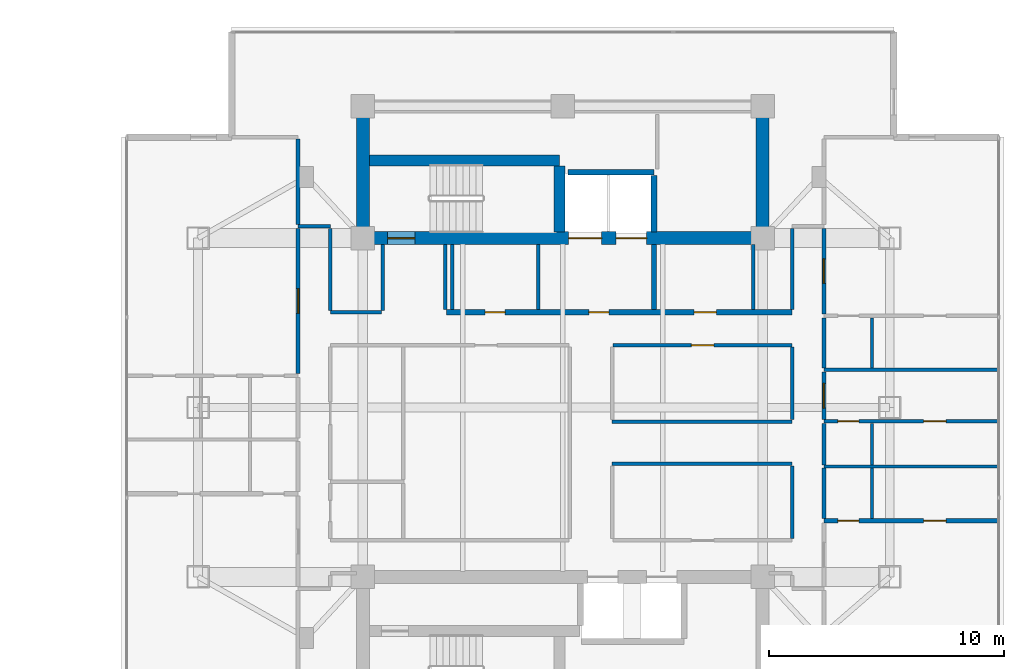
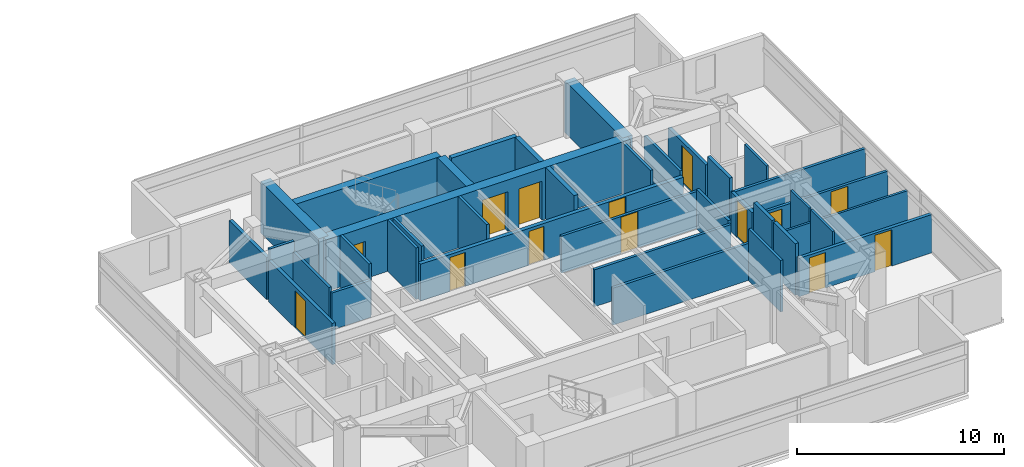
# One storey, part 17 of 25: 37 walls, 14 doors, 14 openings.
"""IFC4 building model written with IfcOpenShell, lengths in metres."""

from ifc_helpers import new_model, si_unit, direction, frame, frame_2d, origin, place, context, subcontext, project, spatial, rectangle, extrude, material, layer, layer_set, type_object, element, fill, save


model = new_model("IFC4")

# Units and contexts
model_context = context("Model", 3, precision=1e-05, world=origin(), true_north=direction((0.0, 1.0)))
body_context = subcontext(model_context, "Body", "Model", "MODEL_VIEW")
ifc_project = project(units=[si_unit("LENGTHUNIT", "METRE"), si_unit("AREAUNIT", "SQUARE_METRE"), si_unit("VOLUMEUNIT", "CUBIC_METRE"), si_unit("PLANEANGLEUNIT", "RADIAN"), si_unit("MASSUNIT", "GRAM", prefix="KILO")], contexts=[model_context])

# Site, building, storey
site_placement = place(None, origin())
site = spatial("IfcSite", under=ifc_project, at=site_placement, CompositionType="ELEMENT")
building_placement = place(site_placement, origin())
building = spatial("IfcBuilding", under=site, at=building_placement, Name="Mirazonda Arch Towers", CompositionType="ELEMENT")
storey_placement = place(building_placement, frame((0.0, 0.0, 180.39990234375)))
storey = spatial("IfcBuildingStorey", under=building, at=storey_placement, Name="L51", CompositionType="ELEMENT", Elevation=180.39990234375)

# Walls
ifc_material_1 = material(Name="Concrete C50/60", Category="concrete")
ifc_layer_1 = layer(ifc_material_1, 0.449951171875, Name="WALL-CORE-450")
ifc_layer_set_1 = layer_set([ifc_layer_1], Name="Concrete C50/60")
wall_type_1 = type_object("IfcWallType", Name="WALL-CORE-450", PredefinedType="SHEAR", material=ifc_layer_set_1)
wall_1_placement = place(storey_placement, frame((68.27001953125, 38.5, 0.0), z_axis=(0.0, 0.0, 1.0), x_axis=(1.0, 0.0, 0.0)))
element("IfcWall", 1, at=wall_1_placement, inside=storey, type_object=wall_type_1, Name="L51 Stair Core Shear Wall 053", PredefinedType="SHEAR", context=body_context, shape_type="SweptSolid", body=[
    extrude(rectangle(XDim=8.090087890625, YDim=0.449951171875, at=frame_2d((4.044921875, 0.0))), origin(), (0.0, 0.0, 1.0), 3.050048828125),
])
wall_2_placement = place(storey_placement, frame((76.360107421875, 35.469970703125, 0.0), z_axis=(0.0, 0.0, 1.0), x_axis=(0.0, 1.0, 0.0)))
element("IfcWall", 2, at=wall_2_placement, inside=storey, type_object=wall_type_1, Name="L51 Stair Core Shear Wall 141", PredefinedType="SHEAR", context=body_context, shape_type="SweptSolid", body=[
    extrude(rectangle(XDim=2.794921875, YDim=0.449951171875, at=frame_2d((1.3974609375, 0.0))), origin(), (0.0, 0.0, 1.0), 3.050048828125),
])
ifc_layer_2 = layer(ifc_material_1, 0.550048828125, Name="WALL-CORE-550")
ifc_layer_set_2 = layer_set([ifc_layer_2], Name="Concrete C50/60")
wall_type_2 = type_object("IfcWallType", Name="WALL-CORE-550", PredefinedType="SHEAR", material=ifc_layer_set_2)
for number, where, z_axis, x_axis, name in (
    (3, (68.0, 35.199951171875, 0.0), (0.0, 0.0, 1.0), (0.0, 1.0, 0.0), "L51 T2N-W Core Shear Wall"),
    (4, (85.0, 35.199951171875, 0.0), (0.0, 0.0, 1.0), (0.0, 1.0, 0.0), "L51 T2N-E Core Shear Wall"),
):
    element("IfcWall", number, at=place(storey_placement, frame(where, z_axis=z_axis, x_axis=x_axis)), inside=storey, type_object=wall_type_2, Name=name, PredefinedType="SHEAR", context=body_context, shape_type="SweptSolid", body=[
        extrude(rectangle(XDim=5.60009765625, YDim=0.550048828125, at=frame_2d((2.800048828125, 0.0))), origin(), (0.0, 0.0, 1.0), 3.050048828125),
    ])

# Wall, openings, doors
wall_3_placement = place(storey_placement, frame((68.0, 35.199951171875, 0.0), z_axis=(0.0, 0.0, 1.0), x_axis=(1.0, 0.0, 0.0)))
wall_3 = element("IfcWall", 5, at=wall_3_placement, inside=storey, type_object=wall_type_2, Name="L51 T2N-S Core Shear Wall", PredefinedType="SHEAR", context=body_context, shape_type="SweptSolid", body=[
    extrude(rectangle(XDim=17.0, YDim=0.550048828125, at=frame_2d((8.5, 0.0))), origin(), (0.0, 0.0, 1.0), 3.050048828125),
])
opening_1_placement = place(wall_3_placement, frame((1.06005859375, 0.0, 0.0)))
opening_1 = element("IfcOpeningElement", 6, at=opening_1_placement, cuts=wall_3, Name="Opening DR-135", PredefinedType="OPENING", context=body_context, shape_type="SweptSolid", body=[
    extrude(rectangle(XDim=1.14990234375, YDim=2.199951171875, at=frame_2d((0.574951171875, 1.10009765625))), frame((0.0, 0.284912109375, 0.0), z_axis=(0.0, -1.0, 0.0), x_axis=(1.0, 0.0, 0.0)), (0.0, 0.0, 1.0), 0.570068359375),
])
opening_2_placement = place(wall_3_placement, frame((8.75, 0.0, 0.0)))
opening_2 = element("IfcOpeningElement", 7, at=opening_2_placement, cuts=wall_3, Name="Opening LD-112", PredefinedType="OPENING", context=body_context, shape_type="SweptSolid", body=[
    extrude(rectangle(XDim=1.39990234375, YDim=2.35009765625, at=frame_2d((0.699951171875, 1.175048828125))), frame((0.0, 0.284912109375, 0.0), z_axis=(0.0, -1.0, 0.0), x_axis=(1.0, 0.0, 0.0)), (0.0, 0.0, 1.0), 0.570068359375),
])
opening_3_placement = place(wall_3_placement, frame((10.77001953125, 0.0, 0.0)))
opening_3 = element("IfcOpeningElement", 8, at=opening_3_placement, cuts=wall_3, Name="Opening LD-111", PredefinedType="OPENING", context=body_context, shape_type="SweptSolid", body=[
    extrude(rectangle(XDim=1.300048828125, YDim=2.300048828125, at=frame_2d((0.64990234375, 1.14990234375))), frame((0.0, 0.284912109375, 0.0), z_axis=(0.0, -1.0, 0.0), x_axis=(1.0, 0.0, 0.0)), (0.0, 0.0, 1.0), 0.570068359375),
])
ifc_material_2 = material(Name="Architectural Brushed Steel S355", Category="steel")
door_type_1 = type_object("IfcDoorType", Name="DOOR-LIFT-FFL-1400", OperationType="NOTDEFINED", PredefinedType="DOOR", material=ifc_material_2)
door_1_placement = place(opening_2_placement, origin())
door_1 = element("IfcDoor", 9, at=door_1_placement, inside=storey, type_object=door_type_1, Name="L51 Lift Landing Sliding Door FFL-T2", OperationType="DOUBLE_DOOR_SLIDING", OverallHeight=2.35009765625, OverallWidth=1.39990234375, PredefinedType="DOOR", context=body_context, shape_type="SweptSolid", body=[
    extrude(rectangle(XDim=1.39990234375, YDim=2.35009765625, at=frame_2d((0.699951171875, 1.175048828125))), frame((0.0, 0.02490234375, 0.0), z_axis=(0.0, -1.0, 0.0), x_axis=(1.0, 0.0, 0.0)), (0.0, 0.0, 1.0), 0.050048828125),
])
fill(opening_2, door_1)
door_type_2 = type_object("IfcDoorType", Name="DOOR-LIFT-LAND-1300", OperationType="NOTDEFINED", PredefinedType="DOOR", material=ifc_material_2)
door_2_placement = place(opening_3_placement, origin())
door_2 = element("IfcDoor", 10, at=door_2_placement, inside=storey, type_object=door_type_2, Name="L51 Lift Landing Sliding Door SVL-T2", OperationType="DOUBLE_DOOR_SLIDING", OverallHeight=2.300048828125, OverallWidth=1.300048828125, PredefinedType="DOOR", context=body_context, shape_type="SweptSolid", body=[
    extrude(rectangle(XDim=1.300048828125, YDim=2.300048828125, at=frame_2d((0.64990234375, 1.14990234375))), frame((0.0, 0.02490234375, 0.0), z_axis=(0.0, -1.0, 0.0), x_axis=(1.0, 0.0, 0.0)), (0.0, 0.0, 1.0), 0.050048828125),
])
fill(opening_3, door_2)
door_type_3 = type_object("IfcDoorType", Name="DOOR-STAIR-FD90-1150", OperationType="NOTDEFINED", PredefinedType="DOOR", material=ifc_material_2)
door_3_placement = place(opening_1_placement, origin())
door_3 = element("IfcDoor", 11, at=door_3_placement, inside=storey, type_object=door_type_3, Name="L51 East Protected Stair North Door", OperationType="SINGLE_SWING_LEFT", OverallHeight=2.199951171875, OverallWidth=1.14990234375, PredefinedType="DOOR", context=body_context, shape_type="SweptSolid", body=[
    extrude(rectangle(XDim=1.14990234375, YDim=2.199951171875, at=frame_2d((0.574951171875, 1.10009765625))), frame((0.0, 0.02490234375, 0.0), z_axis=(0.0, -1.0, 0.0), x_axis=(1.0, 0.0, 0.0)), (0.0, 0.0, 1.0), 0.050048828125),
])
fill(opening_1, door_3)

ifc_material_3 = material(Name="Concrete C40/50", Category="concrete")
ifc_layer_3 = layer(ifc_material_3, 0.219970703125, Name="WALL-FFL-220")
ifc_layer_set_3 = layer_set([ifc_layer_3], Name="Concrete C40/50")
wall_type_3 = type_object("IfcWallType", Name="WALL-FFL-220", PredefinedType="SOLIDWALL", material=ifc_layer_set_3)
wall_4_placement = place(storey_placement, frame((71.550048828125, 32.050048828125, 0.0), z_axis=(0.0, 0.0, 1.0), x_axis=(1.0, 0.0, 0.0)))
wall_4 = element("IfcWall", 12, at=wall_4_placement, inside=storey, type_object=wall_type_3, Name="L51 Interior Partition 044", PredefinedType="SOLIDWALL", context=body_context, shape_type="SweptSolid", body=[
    extrude(rectangle(XDim=14.699951171875, YDim=0.219970703125, at=frame_2d((7.35009765625, 0.0))), origin(), (0.0, 0.0, 1.0), 2.18603515625),
])
opening_4_placement = place(wall_4_placement, frame((6.06494140625, 0.0, 0.0)))
opening_4 = element("IfcOpeningElement", 13, at=opening_4_placement, cuts=wall_4, Name="Opening DR-128", PredefinedType="OPENING", context=body_context, shape_type="SweptSolid", body=[
    extrude(rectangle(XDim=0.85009765625, YDim=2.010009765625, at=frame_2d((0.425048828125, 1.0048828125))), frame((0.0, 0.119873046875, 0.0), z_axis=(0.0, -1.0, 0.0), x_axis=(1.0, 0.0, 0.0)), (0.0, 0.0, 1.0), 0.239990234375),
])
opening_5_placement = place(wall_4_placement, frame((10.534912109375, 0.0, 0.0)))
opening_5 = element("IfcOpeningElement", 14, at=opening_5_placement, cuts=wall_4, Name="Opening DR-104", PredefinedType="OPENING", context=body_context, shape_type="SweptSolid", body=[
    extrude(rectangle(XDim=0.949951171875, YDim=2.14990234375, at=frame_2d((0.47509765625, 1.074951171875))), frame((0.0, 0.119873046875, 0.0), z_axis=(0.0, -1.0, 0.0), x_axis=(1.0, 0.0, 0.0)), (0.0, 0.0, 1.0), 0.239990234375),
])
opening_6_placement = place(wall_4_placement, frame((1.64990234375, 0.0, 0.0)))
opening_6 = element("IfcOpeningElement", 15, at=opening_6_placement, cuts=wall_4, Name="Opening DR-128", PredefinedType="OPENING", context=body_context, shape_type="SweptSolid", body=[
    extrude(rectangle(XDim=0.85009765625, YDim=2.010009765625, at=frame_2d((0.425048828125, 1.0048828125))), frame((0.0, 0.119873046875, 0.0), z_axis=(0.0, -1.0, 0.0), x_axis=(1.0, 0.0, 0.0)), (0.0, 0.0, 1.0), 0.239990234375),
])
door_type_4 = type_object("IfcDoorType", Name="DOOR-RISER-FD60-850", OperationType="NOTDEFINED", PredefinedType="DOOR", material=ifc_material_2)
door_4_placement = place(opening_4_placement, origin())
door_4 = element("IfcDoor", 16, at=door_4_placement, inside=storey, type_object=door_type_4, Name="L51 East Firefighting Lift Lobby Door", OperationType="SINGLE_SWING_RIGHT", OverallHeight=2.010009765625, OverallWidth=0.85009765625, PredefinedType="DOOR", context=body_context, shape_type="SweptSolid", body=[
    extrude(rectangle(XDim=0.85009765625, YDim=2.010009765625, at=frame_2d((0.425048828125, 1.0048828125))), frame((0.0, 0.02490234375, 0.0), z_axis=(0.0, -1.0, 0.0), x_axis=(1.0, 0.0, 0.0)), (0.0, 0.0, 1.0), 0.050048828125),
])
fill(opening_4, door_4)
door_5_placement = place(opening_6_placement, origin())
door_5 = element("IfcDoor", 17, at=door_5_placement, inside=storey, type_object=door_type_4, Name="L51 Tower 2 Housekeeping & Linen Room Door", OperationType="SINGLE_SWING_RIGHT", OverallHeight=2.010009765625, OverallWidth=0.85009765625, PredefinedType="DOOR", context=body_context, shape_type="SweptSolid", body=[
    extrude(rectangle(XDim=0.85009765625, YDim=2.010009765625, at=frame_2d((0.425048828125, 1.0048828125))), frame((0.0, 0.02490234375, 0.0), z_axis=(0.0, -1.0, 0.0), x_axis=(1.0, 0.0, 0.0)), (0.0, 0.0, 1.0), 0.050048828125),
])
fill(opening_6, door_5)
door_type_5 = type_object("IfcDoorType", Name="DOOR-ROOM-950", OperationType="NOTDEFINED", PredefinedType="DOOR", material=ifc_material_2)
door_6_placement = place(opening_5_placement, origin())
door_6 = element("IfcDoor", 18, at=door_6_placement, inside=storey, type_object=door_type_5, Name="L51 East Sky Reading Library Door", OperationType="SINGLE_SWING_LEFT", OverallHeight=2.14990234375, OverallWidth=0.949951171875, PredefinedType="DOOR", context=body_context, shape_type="SweptSolid", body=[
    extrude(rectangle(XDim=0.949951171875, YDim=2.14990234375, at=frame_2d((0.47509765625, 1.074951171875))), frame((0.0, 0.02490234375, 0.0), z_axis=(0.0, -1.0, 0.0), x_axis=(1.0, 0.0, 0.0)), (0.0, 0.0, 1.0), 0.050048828125),
])
fill(opening_5, door_6)

# Walls
wall_5_placement = place(storey_placement, frame((80.3798828125, 32.169921875, 0.0), z_axis=(0.0, 0.0, 1.0), x_axis=(0.0, 1.0, 0.0)))
element("IfcWall", 19, at=wall_5_placement, inside=storey, type_object=wall_type_3, Name="L51 Interior Partition 146", PredefinedType="SOLIDWALL", context=body_context, shape_type="SweptSolid", body=[
    extrude(rectangle(XDim=2.760009765625, YDim=0.219970703125, at=frame_2d((1.3798828125, 0.0))), origin(), (0.0, 0.0, 1.0), 3.050048828125),
])
ifc_material_4 = material(Name="Fire-Rated Gypsum Stud Partition")
ifc_layer_4 = layer(ifc_material_4, 0.14990234375, Name="WALL-PART-CORR-150")
ifc_layer_set_4 = layer_set([ifc_layer_4], Name="Fire-Rated Gypsum Stud Partition")
wall_type_4 = type_object("IfcWallType", Name="WALL-PART-CORR-150", PredefinedType="PARTITIONING", material=ifc_layer_set_4)
for number, where, z_axis, x_axis, name in (
    (20, (78.60009765625, 25.60009765625, 0.0), (0.0, 0.0, 1.0), (1.0, 0.0, 0.0), "L51 Interior Partition 028"),
    (21, (78.60009765625, 27.39990234375, 0.0), (0.0, 0.0, 1.0), (1.0, 0.0, 0.0), "L51 Interior Partition 032"),
):
    element("IfcWall", number, at=place(storey_placement, frame(where, z_axis=z_axis, x_axis=x_axis)), inside=storey, type_object=wall_type_4, Name=name, PredefinedType="PARTITIONING", context=body_context, shape_type="SweptSolid", body=[
        extrude(rectangle(XDim=7.64990234375, YDim=0.14990234375, at=frame_2d((3.824951171875, 0.0))), origin(), (0.0, 0.0, 1.0), 2.18603515625),
    ])

# Wall, openings, doors
wall_6_placement = place(storey_placement, frame((87.60009765625, 27.412109375, 0.0), z_axis=(0.0, 0.0, 1.0), x_axis=(1.0, 0.0, 0.0)))
wall_6 = element("IfcWall", 22, at=wall_6_placement, inside=storey, type_object=wall_type_4, Name="L51 Interior Partition 033", PredefinedType="PARTITIONING", context=body_context, shape_type="SweptSolid", body=[
    extrude(rectangle(XDim=7.43701171875, YDim=0.14990234375, at=frame_2d((3.718505859375, 0.0))), origin(), (0.0, 0.0, 1.0), 2.26904296875),
])
opening_7_placement = place(wall_6_placement, frame((4.243408203125, 0.0, 0.0)))
opening_7 = element("IfcOpeningElement", 23, at=opening_7_placement, cuts=wall_6, Name="Opening DR-104", PredefinedType="OPENING", context=body_context, shape_type="SweptSolid", body=[
    extrude(rectangle(XDim=0.949951171875, YDim=2.14990234375, at=frame_2d((0.47509765625, 1.074951171875))), frame((0.0, 0.0849609375, 0.0), z_axis=(0.0, -1.0, 0.0), x_axis=(1.0, 0.0, 0.0)), (0.0, 0.0, 1.0), 0.169921875),
])
opening_8_placement = place(wall_6_placement, frame((0.590087890625, 0.0, 0.0)))
opening_8 = element("IfcOpeningElement", 24, at=opening_8_placement, cuts=wall_6, Name="Opening DR-120", PredefinedType="OPENING", context=body_context, shape_type="SweptSolid", body=[
    extrude(rectangle(XDim=0.89990234375, YDim=2.10009765625, at=frame_2d((0.449951171875, 1.050048828125))), frame((0.0, 0.0849609375, 0.0), z_axis=(0.0, -1.0, 0.0), x_axis=(1.0, 0.0, 0.0)), (0.0, 0.0, 1.0), 0.169921875),
])
door_7_placement = place(opening_7_placement, origin())
door_7 = element("IfcDoor", 25, at=door_7_placement, inside=storey, type_object=door_type_5, Name="L51 Studio 2 Galley Kitchen Door", OperationType="SINGLE_SWING_RIGHT", OverallHeight=2.14990234375, OverallWidth=0.949951171875, PredefinedType="DOOR", context=body_context, shape_type="SweptSolid", body=[
    extrude(rectangle(XDim=0.949951171875, YDim=2.14990234375, at=frame_2d((0.47509765625, 1.074951171875))), frame((0.0, 0.02490234375, 0.0), z_axis=(0.0, -1.0, 0.0), x_axis=(1.0, 0.0, 0.0)), (0.0, 0.0, 1.0), 0.050048828125),
])
fill(opening_7, door_7)
door_type_6 = type_object("IfcDoorType", Name="DOOR-WC-900", OperationType="NOTDEFINED", PredefinedType="DOOR", material=ifc_material_2)
door_8_placement = place(opening_8_placement, origin())
door_8 = element("IfcDoor", 26, at=door_8_placement, inside=storey, type_object=door_type_6, Name="L51 Studio 2 Bathroom Door", OperationType="SINGLE_SWING_LEFT", OverallHeight=2.10009765625, OverallWidth=0.89990234375, PredefinedType="DOOR", context=body_context, shape_type="SweptSolid", body=[
    extrude(rectangle(XDim=0.89990234375, YDim=2.10009765625, at=frame_2d((0.449951171875, 1.050048828125))), frame((0.0, 0.02490234375, 0.0), z_axis=(0.0, -1.0, 0.0), x_axis=(1.0, 0.0, 0.0)), (0.0, 0.0, 1.0), 0.050048828125),
])
fill(opening_8, door_8)

# Wall
wall_7_placement = place(storey_placement, frame((87.60009765625, 29.595947265625, 0.0), z_axis=(0.0, 0.0, 1.0), x_axis=(1.0, 0.0, 0.0)))
element("IfcWall", 27, at=wall_7_placement, inside=storey, type_object=wall_type_4, Name="L51 Interior Partition 037", PredefinedType="PARTITIONING", context=body_context, shape_type="SweptSolid", body=[
    extrude(rectangle(XDim=7.43701171875, YDim=0.14990234375, at=frame_2d((3.718505859375, 0.0))), origin(), (0.0, 0.0, 1.0), 2.26904296875),
])

# Wall, opening, door
wall_8_placement = place(storey_placement, frame((78.639892578125, 30.64990234375, 0.0), z_axis=(0.0, 0.0, 1.0), x_axis=(1.0, 0.0, 0.0)))
wall_8 = element("IfcWall", 28, at=wall_8_placement, inside=storey, type_object=wall_type_4, Name="L51 Interior Partition 040", PredefinedType="PARTITIONING", context=body_context, shape_type="SweptSolid", body=[
    extrude(rectangle(XDim=7.610107421875, YDim=0.14990234375, at=frame_2d((3.80517578125, 0.0))), origin(), (0.0, 0.0, 1.0), 2.18603515625),
])
opening_9_placement = place(wall_8_placement, frame((3.330078125, 0.0, 0.0)))
opening_9 = element("IfcOpeningElement", 29, at=opening_9_placement, cuts=wall_8, Name="Opening DR-104", PredefinedType="OPENING", context=body_context, shape_type="SweptSolid", body=[
    extrude(rectangle(XDim=0.949951171875, YDim=2.14990234375, at=frame_2d((0.47509765625, 1.074951171875))), frame((0.0, 0.0849609375, 0.0), z_axis=(0.0, -1.0, 0.0), x_axis=(1.0, 0.0, 0.0)), (0.0, 0.0, 1.0), 0.169921875),
])
door_9_placement = place(opening_9_placement, origin())
door_9 = element("IfcDoor", 30, at=door_9_placement, inside=storey, type_object=door_type_5, Name="L51 L51 Tower 2 North-East Study Door", OperationType="SINGLE_SWING_RIGHT", OverallHeight=2.14990234375, OverallWidth=0.949951171875, PredefinedType="DOOR", context=body_context, shape_type="SweptSolid", body=[
    extrude(rectangle(XDim=0.949951171875, YDim=2.14990234375, at=frame_2d((0.47509765625, 1.074951171875))), frame((0.0, 0.02490234375, 0.0), z_axis=(0.0, -1.0, 0.0), x_axis=(1.0, 0.0, 0.0)), (0.0, 0.0, 1.0), 0.050048828125),
])
fill(opening_9, door_9)

# Walls
wall_9_placement = place(storey_placement, frame((66.6201171875, 32.050048828125, 0.0), z_axis=(0.0, 0.0, 1.0), x_axis=(1.0, 0.0, 0.0)))
element("IfcWall", 31, at=wall_9_placement, inside=storey, type_object=wall_type_4, Name="L51 Interior Partition 043", PredefinedType="PARTITIONING", context=body_context, shape_type="SweptSolid", body=[
    extrude(rectangle(XDim=2.179931640625, YDim=0.14990234375, at=frame_2d((1.08984375, 0.0))), origin(), (0.0, 0.0, 1.0), 2.18603515625),
])
wall_10_placement = place(storey_placement, frame((65.25, 35.699951171875, 0.0), z_axis=(0.0, 0.0, 1.0), x_axis=(1.0, 0.0, 0.0)))
element("IfcWall", 32, at=wall_10_placement, inside=storey, type_object=wall_type_4, Name="L51 Interior Partition 050", PredefinedType="PARTITIONING", context=body_context, shape_type="SweptSolid", body=[
    extrude(rectangle(XDim=1.3701171875, YDim=0.14990234375, at=frame_2d((0.68505859375, 0.0))), origin(), (0.0, 0.0, 1.0), 3.050048828125),
])
wall_11_placement = place(storey_placement, frame((66.6201171875, 32.135009765625, 0.0), z_axis=(0.0, 0.0, 1.0), x_axis=(0.0, 1.0, 0.0)))
element("IfcWall", 33, at=wall_11_placement, inside=storey, type_object=wall_type_4, Name="L51 Interior Partition 133", PredefinedType="PARTITIONING", context=body_context, shape_type="SweptSolid", body=[
    extrude(rectangle(XDim=3.47998046875, YDim=0.14990234375, at=frame_2d((1.739990234375, 0.0))), origin(), (0.0, 0.0, 1.0), 2.442138671875),
])
wall_12_placement = place(storey_placement, frame((68.85009765625, 32.135009765625, 0.0), z_axis=(0.0, 0.0, 1.0), x_axis=(0.0, 1.0, 0.0)))
element("IfcWall", 34, at=wall_12_placement, inside=storey, type_object=wall_type_4, Name="L51 Interior Partition 134", PredefinedType="PARTITIONING", context=body_context, shape_type="SweptSolid", body=[
    extrude(rectangle(XDim=2.794921875, YDim=0.14990234375, at=frame_2d((1.3974609375, 0.0))), origin(), (0.0, 0.0, 1.0), 3.050048828125),
])
for number, where, z_axis, x_axis, name in (
    (35, (71.5, 32.169921875, 0.0), (0.0, 0.0, 1.0), (0.0, 1.0, 0.0), "L51 Interior Partition 137"),
    (36, (71.800048828125, 32.169921875, 0.0), (0.0, 0.0, 1.0), (0.0, 1.0, 0.0), "L51 Interior Partition 138"),
    (37, (75.449951171875, 32.169921875, 0.0), (0.0, 0.0, 1.0), (0.0, 1.0, 0.0), "L51 Interior Partition 139"),
    (38, (84.60009765625, 32.169921875, 0.0), (0.0, 0.0, 1.0), (0.0, 1.0, 0.0), "L51 Interior Partition 150"),
):
    element("IfcWall", number, at=place(storey_placement, frame(where, z_axis=z_axis, x_axis=x_axis)), inside=storey, type_object=wall_type_4, Name=name, PredefinedType="PARTITIONING", context=body_context, shape_type="SweptSolid", body=[
        extrude(rectangle(XDim=2.760009765625, YDim=0.14990234375, at=frame_2d((1.3798828125, 0.0))), origin(), (0.0, 0.0, 1.0), 3.050048828125),
    ])
wall_13_placement = place(storey_placement, frame((86.25, 22.43505859375, 0.0), z_axis=(0.0, 0.0, 1.0), x_axis=(0.0, 1.0, 0.0)))
element("IfcWall", 39, at=wall_13_placement, inside=storey, type_object=wall_type_4, Name="L51 Interior Partition 152", PredefinedType="PARTITIONING", context=body_context, shape_type="SweptSolid", body=[
    extrude(rectangle(XDim=3.079833984375, YDim=0.14990234375, at=frame_2d((1.5400390625, 0.0))), origin(), (0.0, 0.0, 1.0), 3.050048828125),
])
wall_14_placement = place(storey_placement, frame((86.25, 27.485107421875, 0.0), z_axis=(0.0, 0.0, 1.0), x_axis=(0.0, 1.0, 0.0)))
element("IfcWall", 40, at=wall_14_placement, inside=storey, type_object=wall_type_4, Name="L51 Interior Partition 153", PredefinedType="PARTITIONING", context=body_context, shape_type="SweptSolid", body=[
    extrude(rectangle(XDim=3.079833984375, YDim=0.14990234375, at=frame_2d((1.5400390625, 0.0))), origin(), (0.0, 0.0, 1.0), 2.34619140625),
])
wall_15_placement = place(storey_placement, frame((86.25, 32.169921875, 0.0), z_axis=(0.0, 0.0, 1.0), x_axis=(0.0, 1.0, 0.0)))
element("IfcWall", 41, at=wall_15_placement, inside=storey, type_object=wall_type_4, Name="L51 Interior Partition 154", PredefinedType="PARTITIONING", context=body_context, shape_type="SweptSolid", body=[
    extrude(rectangle(XDim=3.445068359375, YDim=0.14990234375, at=frame_2d((1.72265625, 0.0))), origin(), (0.0, 0.0, 1.0), 2.442138671875),
])

# Wall, openings, doors
ifc_material_5 = material(Name="Fire-Rated Gypsum Twin-Stud Assembly")
ifc_layer_5 = layer(ifc_material_5, 0.179931640625, Name="WALL-PART-DEMISE-180")
ifc_layer_set_5 = layer_set([ifc_layer_5], Name="Fire-Rated Gypsum Twin-Stud Assembly")
wall_type_5 = type_object("IfcWallType", Name="WALL-PART-DEMISE-180", PredefinedType="PARTITIONING", material=ifc_layer_set_5)
wall_16_placement = place(storey_placement, frame((87.60009765625, 23.19189453125, 0.0), z_axis=(0.0, 0.0, 1.0), x_axis=(1.0, 0.0, 0.0)))
wall_16 = element("IfcWall", 42, at=wall_16_placement, inside=storey, type_object=wall_type_5, Name="L51 Interior Partition 025", PredefinedType="PARTITIONING", context=body_context, shape_type="SweptSolid", body=[
    extrude(rectangle(XDim=7.43701171875, YDim=0.179931640625, at=frame_2d((3.718505859375, 0.0))), origin(), (0.0, 0.0, 1.0), 2.26904296875),
])
opening_10_placement = place(wall_16_placement, frame((4.243408203125, 0.0, 0.0)))
opening_10 = element("IfcOpeningElement", 43, at=opening_10_placement, cuts=wall_16, Name="Opening DR-104", PredefinedType="OPENING", context=body_context, shape_type="SweptSolid", body=[
    extrude(rectangle(XDim=0.949951171875, YDim=2.14990234375, at=frame_2d((0.47509765625, 1.074951171875))), frame((0.0, 0.099853515625, 0.0), z_axis=(0.0, -1.0, 0.0), x_axis=(1.0, 0.0, 0.0)), (0.0, 0.0, 1.0), 0.199951171875),
])
opening_11_placement = place(wall_16_placement, frame((0.590087890625, 0.0, 0.0)))
opening_11 = element("IfcOpeningElement", 44, at=opening_11_placement, cuts=wall_16, Name="Opening DR-120", PredefinedType="OPENING", context=body_context, shape_type="SweptSolid", body=[
    extrude(rectangle(XDim=0.89990234375, YDim=2.10009765625, at=frame_2d((0.449951171875, 1.050048828125))), frame((0.0, 0.099853515625, 0.0), z_axis=(0.0, -1.0, 0.0), x_axis=(1.0, 0.0, 0.0)), (0.0, 0.0, 1.0), 0.199951171875),
])
door_10_placement = place(opening_10_placement, origin())
door_10 = element("IfcDoor", 45, at=door_10_placement, inside=storey, type_object=door_type_5, Name="L51 Studio 1 Galley Kitchen Door", OperationType="SINGLE_SWING_LEFT", OverallHeight=2.14990234375, OverallWidth=0.949951171875, PredefinedType="DOOR", context=body_context, shape_type="SweptSolid", body=[
    extrude(rectangle(XDim=0.949951171875, YDim=2.14990234375, at=frame_2d((0.47509765625, 1.074951171875))), frame((0.0, 0.02490234375, 0.0), z_axis=(0.0, -1.0, 0.0), x_axis=(1.0, 0.0, 0.0)), (0.0, 0.0, 1.0), 0.050048828125),
])
fill(opening_10, door_10)
door_11_placement = place(opening_11_placement, origin())
door_11 = element("IfcDoor", 46, at=door_11_placement, inside=storey, type_object=door_type_6, Name="L51 Studio 1 Bathroom Door", OperationType="SINGLE_SWING_RIGHT", OverallHeight=2.10009765625, OverallWidth=0.89990234375, PredefinedType="DOOR", context=body_context, shape_type="SweptSolid", body=[
    extrude(rectangle(XDim=0.89990234375, YDim=2.10009765625, at=frame_2d((0.449951171875, 1.050048828125))), frame((0.0, 0.02490234375, 0.0), z_axis=(0.0, -1.0, 0.0), x_axis=(1.0, 0.0, 0.0)), (0.0, 0.0, 1.0), 0.050048828125),
])
fill(opening_11, door_11)

# Wall, opening, door
wall_17_placement = place(storey_placement, frame((65.25, 29.43701171875, 0.0), z_axis=(0.0, 0.0, 1.0), x_axis=(0.0, 1.0, 0.0)))
wall_17 = element("IfcWall", 47, at=wall_17_placement, inside=storey, type_object=wall_type_5, Name="L51 Interior Partition 128", PredefinedType="PARTITIONING", context=body_context, shape_type="SweptSolid", body=[
    extrude(rectangle(XDim=6.177978515625, YDim=0.179931640625, at=frame_2d((3.0888671875, 0.0))), origin(), (0.0, 0.0, 1.0), 2.442138671875),
])
opening_12_placement = place(wall_17_placement, frame((2.56396484375, 0.0, 0.0)))
opening_12 = element("IfcOpeningElement", 48, at=opening_12_placement, cuts=wall_17, Name="Opening DR-121", PredefinedType="OPENING", context=body_context, shape_type="SweptSolid", body=[
    extrude(rectangle(XDim=1.050048828125, YDim=2.199951171875, at=frame_2d((0.52490234375, 1.10009765625))), frame((0.0, 0.099853515625, 0.0), z_axis=(0.0, -1.0, 0.0), x_axis=(1.0, 0.0, 0.0)), (0.0, 0.0, 1.0), 0.199951171875),
])
door_type_7 = type_object("IfcDoorType", Name="DOOR-SUITE-FD60-1050", OperationType="NOTDEFINED", PredefinedType="DOOR", material=ifc_material_2)
door_12_placement = place(opening_12_placement, origin())
door_12 = element("IfcDoor", 49, at=door_12_placement, inside=storey, type_object=door_type_7, Name="L51 Residence 2 Living & Dining Salon Door", OperationType="SINGLE_SWING_RIGHT", OverallHeight=2.199951171875, OverallWidth=1.050048828125, PredefinedType="DOOR", context=body_context, shape_type="SweptSolid", body=[
    extrude(rectangle(XDim=1.050048828125, YDim=2.199951171875, at=frame_2d((0.52490234375, 1.10009765625))), frame((0.0, 0.02490234375, 0.0), z_axis=(0.0, -1.0, 0.0), x_axis=(1.0, 0.0, 0.0)), (0.0, 0.0, 1.0), 0.050048828125),
])
fill(opening_12, door_12)

# Walls
wall_18_placement = place(storey_placement, frame((65.25, 35.784912109375, 0.0), z_axis=(0.0, 0.0, 1.0), x_axis=(0.0, 1.0, 0.0)))
element("IfcWall", 50, at=wall_18_placement, inside=storey, type_object=wall_type_5, Name="L51 Interior Partition 129", PredefinedType="PARTITIONING", context=body_context, shape_type="SweptSolid", body=[
    extrude(rectangle(XDim=3.623046875, YDim=0.179931640625, at=frame_2d((1.8115234375, 0.0))), origin(), (0.0, 0.0, 1.0), 2.4931640625),
])
wall_19_placement = place(storey_placement, frame((87.60009765625, 23.2919921875, 0.0), z_axis=(0.0, 0.0, 1.0), x_axis=(0.0, 1.0, 0.0)))
element("IfcWall", 51, at=wall_19_placement, inside=storey, type_object=wall_type_5, Name="L51 Interior Partition 157", PredefinedType="PARTITIONING", context=body_context, shape_type="SweptSolid", body=[
    extrude(rectangle(XDim=2.12744140625, YDim=0.179931640625, at=frame_2d((1.063720703125, 0.0))), origin(), (0.0, 0.0, 1.0), 3.050048828125),
])
wall_20_placement = place(storey_placement, frame((87.60009765625, 25.564453125, 0.0), z_axis=(0.0, 0.0, 1.0), x_axis=(0.0, 1.0, 0.0)))
element("IfcWall", 52, at=wall_20_placement, inside=storey, type_object=wall_type_5, Name="L51 Interior Partition 158", PredefinedType="PARTITIONING", context=body_context, shape_type="SweptSolid", body=[
    extrude(rectangle(XDim=1.762451171875, YDim=0.179931640625, at=frame_2d((0.88134765625, 0.0))), origin(), (0.0, 0.0, 1.0), 3.050048828125),
])

# Wall, opening, door
wall_21_placement = place(storey_placement, frame((87.60009765625, 27.4970703125, 0.0), z_axis=(0.0, 0.0, 1.0), x_axis=(0.0, 1.0, 0.0)))
wall_21 = element("IfcWall", 53, at=wall_21_placement, inside=storey, type_object=wall_type_5, Name="L51 Interior Partition 159", PredefinedType="PARTITIONING", context=body_context, shape_type="SweptSolid", body=[
    extrude(rectangle(XDim=2.013916015625, YDim=0.179931640625, at=frame_2d((1.0068359375, 0.0))), origin(), (0.0, 0.0, 1.0), 2.34619140625),
])
opening_13_placement = place(wall_21_placement, frame((0.48193359375, 0.0, 0.0)))
opening_13 = element("IfcOpeningElement", 54, at=opening_13_placement, cuts=wall_21, Name="Opening DR-121", PredefinedType="OPENING", context=body_context, shape_type="SweptSolid", body=[
    extrude(rectangle(XDim=1.050048828125, YDim=2.199951171875, at=frame_2d((0.52490234375, 1.10009765625))), frame((0.0, 0.099853515625, 0.0), z_axis=(0.0, -1.0, 0.0), x_axis=(1.0, 0.0, 0.0)), (0.0, 0.0, 1.0), 0.199951171875),
])
door_13_placement = place(opening_13_placement, origin())
door_13 = element("IfcDoor", 55, at=door_13_placement, inside=storey, type_object=door_type_7, Name="L51 Studio Apartment 2 Living Salon Door", OperationType="SINGLE_SWING_LEFT", OverallHeight=2.199951171875, OverallWidth=1.050048828125, PredefinedType="DOOR", context=body_context, shape_type="SweptSolid", body=[
    extrude(rectangle(XDim=1.050048828125, YDim=2.199951171875, at=frame_2d((0.52490234375, 1.10009765625))), frame((0.0, 0.02490234375, 0.0), z_axis=(0.0, -1.0, 0.0), x_axis=(1.0, 0.0, 0.0)), (0.0, 0.0, 1.0), 0.050048828125),
])
fill(opening_13, door_13)

# Wall
wall_22_placement = place(storey_placement, frame((87.60009765625, 29.680908203125, 0.0), z_axis=(0.0, 0.0, 1.0), x_axis=(0.0, 1.0, 0.0)))
element("IfcWall", 56, at=wall_22_placement, inside=storey, type_object=wall_type_5, Name="L51 Interior Partition 160", PredefinedType="PARTITIONING", context=body_context, shape_type="SweptSolid", body=[
    extrude(rectangle(XDim=2.130126953125, YDim=0.179931640625, at=frame_2d((1.06494140625, 0.0))), origin(), (0.0, 0.0, 1.0), 3.050048828125),
])

# Wall, opening, door
wall_23_placement = place(storey_placement, frame((87.60009765625, 31.98095703125, 0.0), z_axis=(0.0, 0.0, 1.0), x_axis=(0.0, 1.0, 0.0)))
wall_23 = element("IfcWall", 57, at=wall_23_placement, inside=storey, type_object=wall_type_5, Name="L51 Interior Partition 161", PredefinedType="PARTITIONING", context=body_context, shape_type="SweptSolid", body=[
    extrude(rectangle(XDim=3.634033203125, YDim=0.179931640625, at=frame_2d((1.81689453125, 0.0))), origin(), (0.0, 0.0, 1.0), 2.442138671875),
])
opening_14_placement = place(wall_23_placement, frame((1.2919921875, 0.0, 0.0)))
opening_14 = element("IfcOpeningElement", 58, at=opening_14_placement, cuts=wall_23, Name="Opening DR-121", PredefinedType="OPENING", context=body_context, shape_type="SweptSolid", body=[
    extrude(rectangle(XDim=1.050048828125, YDim=2.199951171875, at=frame_2d((0.52490234375, 1.10009765625))), frame((0.0, 0.099853515625, 0.0), z_axis=(0.0, -1.0, 0.0), x_axis=(1.0, 0.0, 0.0)), (0.0, 0.0, 1.0), 0.199951171875),
])
door_14_placement = place(opening_14_placement, origin())
door_14 = element("IfcDoor", 59, at=door_14_placement, inside=storey, type_object=door_type_7, Name="L51 Studio Apartment 3 Living Salon Door", OperationType="SINGLE_SWING_RIGHT", OverallHeight=2.199951171875, OverallWidth=1.050048828125, PredefinedType="DOOR", context=body_context, shape_type="SweptSolid", body=[
    extrude(rectangle(XDim=1.050048828125, YDim=2.199951171875, at=frame_2d((0.52490234375, 1.10009765625))), frame((0.0, 0.02490234375, 0.0), z_axis=(0.0, -1.0, 0.0), x_axis=(1.0, 0.0, 0.0)), (0.0, 0.0, 1.0), 0.050048828125),
])
fill(opening_14, door_14)

# Walls
ifc_material_6 = material(Name="Acoustic Fire-Rated Gypsum Partition")
ifc_layer_6 = layer(ifc_material_6, 0.125, Name="WALL-PART-UNIT-125")
ifc_layer_set_6 = layer_set([ifc_layer_6], Name="Acoustic Fire-Rated Gypsum Partition")
wall_type_6 = type_object("IfcWallType", Name="WALL-PART-UNIT-125", PredefinedType="PARTITIONING", material=ifc_layer_set_6)
wall_24_placement = place(storey_placement, frame((87.60009765625, 25.491943359375, 0.0), z_axis=(0.0, 0.0, 1.0), x_axis=(1.0, 0.0, 0.0)))
element("IfcWall", 60, at=wall_24_placement, inside=storey, type_object=wall_type_6, Name="L51 Interior Partition 029", PredefinedType="PARTITIONING", context=body_context, shape_type="SweptSolid", body=[
    extrude(rectangle(XDim=7.43701171875, YDim=0.125, at=frame_2d((3.718505859375, 0.0))), origin(), (0.0, 0.0, 1.0), 2.26904296875),
])
wall_25_placement = place(storey_placement, frame((89.639892578125, 23.2919921875, 0.0), z_axis=(0.0, 0.0, 1.0), x_axis=(0.0, 1.0, 0.0)))
element("IfcWall", 61, at=wall_25_placement, inside=storey, type_object=wall_type_6, Name="L51 Interior Partition 163", PredefinedType="PARTITIONING", context=body_context, shape_type="SweptSolid", body=[
    extrude(rectangle(XDim=2.12744140625, YDim=0.125, at=frame_2d((1.063720703125, 0.0))), origin(), (0.0, 0.0, 1.0), 3.050048828125),
])
wall_26_placement = place(storey_placement, frame((89.639892578125, 25.564453125, 0.0), z_axis=(0.0, 0.0, 1.0), x_axis=(0.0, 1.0, 0.0)))
element("IfcWall", 62, at=wall_26_placement, inside=storey, type_object=wall_type_6, Name="L51 Interior Partition 164", PredefinedType="PARTITIONING", context=body_context, shape_type="SweptSolid", body=[
    extrude(rectangle(XDim=1.762451171875, YDim=0.125, at=frame_2d((0.88134765625, 0.0))), origin(), (0.0, 0.0, 1.0), 3.050048828125),
])
wall_27_placement = place(storey_placement, frame((89.639892578125, 29.680908203125, 0.0), z_axis=(0.0, 0.0, 1.0), x_axis=(0.0, 1.0, 0.0)))
element("IfcWall", 63, at=wall_27_placement, inside=storey, type_object=wall_type_6, Name="L51 Interior Partition 165", PredefinedType="PARTITIONING", context=body_context, shape_type="SweptSolid", body=[
    extrude(rectangle(XDim=2.130126953125, YDim=0.125, at=frame_2d((1.06494140625, 0.0))), origin(), (0.0, 0.0, 1.0), 3.050048828125),
])
ifc_layer_7 = layer(ifc_material_3, 0.25, Name="WALL-SHAFT-250")
ifc_layer_set_7 = layer_set([ifc_layer_7], Name="Concrete C40/50")
wall_type_7 = type_object("IfcWallType", Name="WALL-SHAFT-250", PredefinedType="SOLIDWALL", material=ifc_layer_set_7)
wall_28_placement = place(storey_placement, frame((76.719970703125, 38.0, 0.0), z_axis=(0.0, 0.0, 1.0), x_axis=(1.0, 0.0, 0.0)))
element("IfcWall", 64, at=wall_28_placement, inside=storey, type_object=wall_type_7, Name="L51 Interior Partition 052", PredefinedType="SOLIDWALL", context=body_context, shape_type="SweptSolid", body=[
    extrude(rectangle(XDim=3.659912109375, YDim=0.25, at=frame_2d((1.830078125, 0.0))), origin(), (0.0, 0.0, 1.0), 3.050048828125),
])
wall_29_placement = place(storey_placement, frame((80.3798828125, 35.469970703125, 0.0), z_axis=(0.0, 0.0, 1.0), x_axis=(0.0, 1.0, 0.0)))
element("IfcWall", 65, at=wall_29_placement, inside=storey, type_object=wall_type_7, Name="L51 Interior Partition 147", PredefinedType="SOLIDWALL", context=body_context, shape_type="SweptSolid", body=[
    extrude(rectangle(XDim=2.39501953125, YDim=0.25, at=frame_2d((1.197509765625, 0.0))), origin(), (0.0, 0.0, 1.0), 3.050048828125),
])

save(model, "model.ifc")
